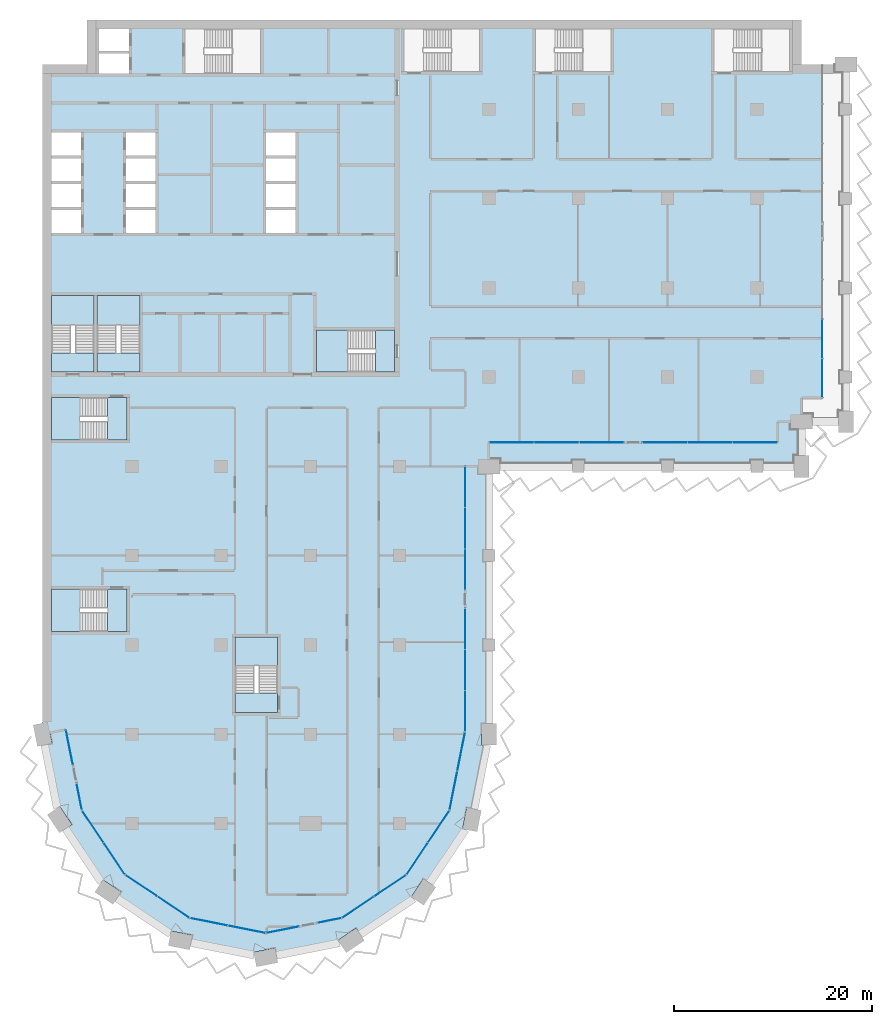
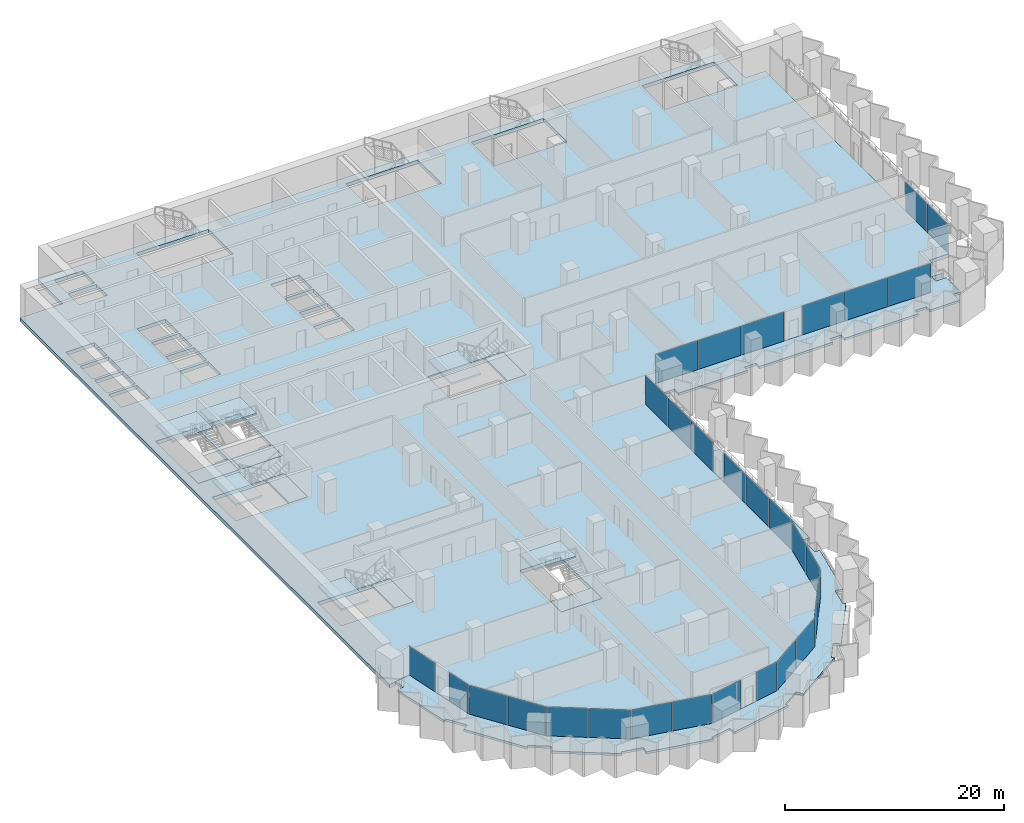
# One storey, part 7 of 22: 30 plates, 15 slabs, 21 elements without a shape of their own.
"""IFC4 building model written with IfcOpenShell, lengths in metres."""

from ifc_helpers import new_model, si_unit, direction, frame, origin, origin_2d, place, context, subcontext, project, spatial, polyline, rectangle, outline, extrude, material, layer, layer_set, type_object, element, aggregate, save


model = new_model("IFC4")

# Units and contexts
model_context = context("Model", 3, precision=1e-05, world=origin(), true_north=direction((0.0, 1.0)))
body_context = subcontext(model_context, "Body", "Model", "MODEL_VIEW")
ifc_project = project(units=[si_unit("LENGTHUNIT", "METRE"), si_unit("AREAUNIT", "SQUARE_METRE"), si_unit("VOLUMEUNIT", "CUBIC_METRE"), si_unit("PLANEANGLEUNIT", "RADIAN"), si_unit("MASSUNIT", "GRAM", prefix="KILO")], contexts=[model_context])

# Site, building, storey
site_placement = place(None, origin())
site = spatial("IfcSite", under=ifc_project, at=site_placement, CompositionType="ELEMENT")
building_placement = place(site_placement, origin())
building = spatial("IfcBuilding", under=site, at=building_placement, Name="Hunhe Ridgeline Campus", CompositionType="ELEMENT")
storey_placement = place(building_placement, frame((0.0, 0.0, 88.5)))
storey = spatial("IfcBuildingStorey", under=building, at=storey_placement, Name="L21", CompositionType="ELEMENT", Elevation=88.5)

# Curtain wall, plate
ifc_material_1 = material(Name="Aluminium 6063", Category="aluminium")
curtain_wall_type_1 = type_object("IfcCurtainWallType", Name="Curtain wall CW-5", PredefinedType="NOTDEFINED", material=ifc_material_1)
curtain_wall_1_placement = place(storey_placement, origin())
curtain_wall_1 = element("IfcCurtainWall", 1, at=curtain_wall_1_placement, inside=storey, type_object=curtain_wall_type_1, Name="Curtain wall 01", PredefinedType="NOTDEFINED")
ifc_material_2 = material(Name="Low-e laminated glass", Category="glass")
ifc_layer_1 = layer(ifc_material_2, 0.028076171875)
ifc_layer_set_1 = layer_set([ifc_layer_1], Name="Curtain wall glass panel 28 low-e laminated")
plate_type = type_object("IfcPlateType", Name="Curtain wall glass panel 28 low-e laminated", PredefinedType="CURTAIN_PANEL", material=ifc_layer_set_1)
plate_1_placement = place(storey_placement, frame((2.7158203125, 25.65380859375, 0.0), z_axis=(0.0, 0.0, 1.0), x_axis=(0.195095326561, -0.980784284924, 0.0)))
plate_1 = element("IfcPlate", 2, at=plate_1_placement, type_object=plate_type, Name="CW-5 panel 1", PredefinedType="CURTAIN_PANEL", context=body_context, shape_type="SweptSolid", body=[
    extrude(rectangle(XDim=3.560791015625, YDim=0.028076171875, at=origin_2d()), origin(), (0.0, 0.0, 1.0), 3.22998046875),
])
aggregate(curtain_wall_1, [plate_1])

curtain_wall_2_placement = place(storey_placement, origin())
curtain_wall_2 = element("IfcCurtainWall", 3, at=curtain_wall_2_placement, inside=storey, type_object=curtain_wall_type_1, Name="Curtain wall 02", PredefinedType="NOTDEFINED")
plate_2_placement = place(storey_placement, frame((3.701171875, 20.699951171875, 0.0), z_axis=(0.0, 0.0, 1.0), x_axis=(0.195095265587, -0.980784297053, 0.0)))
plate_2 = element("IfcPlate", 4, at=plate_2_placement, type_object=plate_type, Name="CW-5 panel 1", PredefinedType="CURTAIN_PANEL", context=body_context, shape_type="SweptSolid", body=[
    extrude(rectangle(XDim=2.660888671875, YDim=0.028076171875, at=origin_2d()), origin(), (0.0, 0.0, 1.0), 3.22998046875),
])
aggregate(curtain_wall_2, [plate_2])

# Curtain wall, plates
curtain_wall_3_placement = place(storey_placement, origin())
curtain_wall_3 = element("IfcCurtainWall", 5, at=curtain_wall_3_placement, inside=storey, type_object=curtain_wall_type_1, Name="Curtain wall 03", PredefinedType="NOTDEFINED")
plate_3_placement = place(storey_placement, frame((5.07080078125, 17.685546875, 0.0), z_axis=(0.0, 0.0, 1.0), x_axis=(0.555570274596, -0.831469584522, 0.0)))
plate_3 = element("IfcPlate", 6, at=plate_3_placement, type_object=plate_type, Name="CW-5 panel 1", PredefinedType="CURTAIN_PANEL", context=body_context, shape_type="SweptSolid", body=[
    extrude(rectangle(XDim=3.806884765625, YDim=0.028076171875, at=origin_2d()), origin(), (0.0, 0.0, 1.0), 3.22998046875),
])
plate_4_placement = place(storey_placement, frame((7.224609375, 14.4619140625, 0.0), z_axis=(0.0, 0.0, 1.0), x_axis=(0.555570274596, -0.831469584522, 0.0)))
plate_4 = element("IfcPlate", 7, at=plate_4_placement, type_object=plate_type, Name="CW-5 panel 2", PredefinedType="CURTAIN_PANEL", context=body_context, shape_type="SweptSolid", body=[
    extrude(rectangle(XDim=3.806884765625, YDim=0.028076171875, at=origin_2d()), origin(), (0.0, 0.0, 1.0), 3.22998046875),
])
aggregate(curtain_wall_3, [plate_3, plate_4])

curtain_wall_4_placement = place(storey_placement, origin())
curtain_wall_4 = element("IfcCurtainWall", 8, at=curtain_wall_4_placement, inside=storey, type_object=curtain_wall_type_1, Name="Curtain wall 04", PredefinedType="NOTDEFINED")
plate_5_placement = place(storey_placement, frame((9.9619140625, 11.724609375, 0.0), z_axis=(0.0, 0.0, 1.0), x_axis=(0.831469584522, -0.555570274596, 0.0)))
plate_5 = element("IfcPlate", 9, at=plate_5_placement, type_object=plate_type, Name="CW-5 panel 1", PredefinedType="CURTAIN_PANEL", context=body_context, shape_type="SweptSolid", body=[
    extrude(rectangle(XDim=3.806884765625, YDim=0.028076171875, at=origin_2d()), origin(), (0.0, 0.0, 1.0), 3.22998046875),
])
plate_6_placement = place(storey_placement, frame((13.185546875, 9.57080078125, 0.0), z_axis=(0.0, 0.0, 1.0), x_axis=(0.831469584522, -0.555570274596, 0.0)))
plate_6 = element("IfcPlate", 10, at=plate_6_placement, type_object=plate_type, Name="CW-5 panel 2", PredefinedType="CURTAIN_PANEL", context=body_context, shape_type="SweptSolid", body=[
    extrude(rectangle(XDim=3.806884765625, YDim=0.028076171875, at=origin_2d()), origin(), (0.0, 0.0, 1.0), 3.22998046875),
])
aggregate(curtain_wall_4, [plate_5, plate_6])

curtain_wall_5_placement = place(storey_placement, origin())
curtain_wall_5 = element("IfcCurtainWall", 11, at=curtain_wall_5_placement, inside=storey, type_object=curtain_wall_type_1, Name="Curtain wall 05", PredefinedType="NOTDEFINED")
plate_7_placement = place(storey_placement, frame((16.761962890625, 8.08935546875, 0.0), z_axis=(0.0, 0.0, 1.0), x_axis=(0.980785275326, -0.195090347539, 0.0)))
plate_7 = element("IfcPlate", 12, at=plate_7_placement, type_object=plate_type, Name="CW-5 panel 1", PredefinedType="CURTAIN_PANEL", context=body_context, shape_type="SweptSolid", body=[
    extrude(rectangle(XDim=3.806884765625, YDim=0.028076171875, at=origin_2d()), origin(), (0.0, 0.0, 1.0), 3.22998046875),
])
plate_8_placement = place(storey_placement, frame((20.564453125, 7.3330078125, 0.0), z_axis=(0.0, 0.0, 1.0), x_axis=(0.980785275326, -0.195090347539, 0.0)))
plate_8 = element("IfcPlate", 13, at=plate_8_placement, type_object=plate_type, Name="CW-5 panel 2", PredefinedType="CURTAIN_PANEL", context=body_context, shape_type="SweptSolid", body=[
    extrude(rectangle(XDim=3.806884765625, YDim=0.028076171875, at=origin_2d()), origin(), (0.0, 0.0, 1.0), 3.22998046875),
])
aggregate(curtain_wall_5, [plate_7, plate_8])

# Curtain wall, plate
curtain_wall_6_placement = place(storey_placement, origin())
curtain_wall_6 = element("IfcCurtainWall", 14, at=curtain_wall_6_placement, inside=storey, type_object=curtain_wall_type_1, Name="Curtain wall 06", PredefinedType="NOTDEFINED")
plate_9_placement = place(storey_placement, frame((24.19775390625, 7.28564453125, 0.0), z_axis=(0.0, 0.0, 1.0), x_axis=(0.980785270791, 0.19509037034, 0.0)))
plate_9 = element("IfcPlate", 15, at=plate_9_placement, type_object=plate_type, Name="CW-5 panel 1", PredefinedType="CURTAIN_PANEL", context=body_context, shape_type="SweptSolid", body=[
    extrude(rectangle(XDim=3.322021484375, YDim=0.028076171875, at=origin_2d()), origin(), (0.0, 0.0, 1.0), 3.22998046875),
])
aggregate(curtain_wall_6, [plate_9])

curtain_wall_7_placement = place(storey_placement, origin())
curtain_wall_7 = element("IfcCurtainWall", 16, at=curtain_wall_7_placement, inside=storey, type_object=curtain_wall_type_1, Name="Curtain wall 07", PredefinedType="NOTDEFINED")
plate_10_placement = place(storey_placement, frame((28.917236328125, 8.224609375, 0.0), z_axis=(0.0, 0.0, 1.0), x_axis=(0.980785242091, 0.195090514627, 0.0)))
plate_10 = element("IfcPlate", 17, at=plate_10_placement, type_object=plate_type, Name="CW-5 panel 1", PredefinedType="CURTAIN_PANEL", context=body_context, shape_type="SweptSolid", body=[
    extrude(rectangle(XDim=2.421875, YDim=0.028076171875, at=origin_2d()), origin(), (0.0, 0.0, 1.0), 3.22998046875),
])
aggregate(curtain_wall_7, [plate_10])

# Curtain wall, plates
curtain_wall_8_placement = place(storey_placement, origin())
curtain_wall_8 = element("IfcCurtainWall", 18, at=curtain_wall_8_placement, inside=storey, type_object=curtain_wall_type_1, Name="Curtain wall 08", PredefinedType="NOTDEFINED")
plate_11_placement = place(storey_placement, frame((31.814453125, 9.57080078125, 0.0), z_axis=(0.0, 0.0, 1.0), x_axis=(0.831469584522, 0.555570274596, 0.0)))
plate_11 = element("IfcPlate", 19, at=plate_11_placement, type_object=plate_type, Name="CW-5 panel 1", PredefinedType="CURTAIN_PANEL", context=body_context, shape_type="SweptSolid", body=[
    extrude(rectangle(XDim=3.806884765625, YDim=0.028076171875, at=origin_2d()), origin(), (0.0, 0.0, 1.0), 3.22998046875),
])
plate_12_placement = place(storey_placement, frame((35.0380859375, 11.724609375, 0.0), z_axis=(0.0, 0.0, 1.0), x_axis=(0.831469584522, 0.555570274596, 0.0)))
plate_12 = element("IfcPlate", 20, at=plate_12_placement, type_object=plate_type, Name="CW-5 panel 2", PredefinedType="CURTAIN_PANEL", context=body_context, shape_type="SweptSolid", body=[
    extrude(rectangle(XDim=3.806884765625, YDim=0.028076171875, at=origin_2d()), origin(), (0.0, 0.0, 1.0), 3.22998046875),
])
aggregate(curtain_wall_8, [plate_11, plate_12])

curtain_wall_9_placement = place(storey_placement, origin())
curtain_wall_9 = element("IfcCurtainWall", 21, at=curtain_wall_9_placement, inside=storey, type_object=curtain_wall_type_1, Name="Curtain wall 09", PredefinedType="NOTDEFINED")
plate_13_placement = place(storey_placement, frame((37.775390625, 14.4619140625, 0.0), z_axis=(0.0, 0.0, 1.0), x_axis=(0.555570274596, 0.831469584522, 0.0)))
plate_13 = element("IfcPlate", 22, at=plate_13_placement, type_object=plate_type, Name="CW-5 panel 1", PredefinedType="CURTAIN_PANEL", context=body_context, shape_type="SweptSolid", body=[
    extrude(rectangle(XDim=3.806884765625, YDim=0.028076171875, at=origin_2d()), origin(), (0.0, 0.0, 1.0), 3.22998046875),
])
plate_14_placement = place(storey_placement, frame((39.92919921875, 17.685546875, 0.0), z_axis=(0.0, 0.0, 1.0), x_axis=(0.555570274596, 0.831469584522, 0.0)))
plate_14 = element("IfcPlate", 23, at=plate_14_placement, type_object=plate_type, Name="CW-5 panel 2", PredefinedType="CURTAIN_PANEL", context=body_context, shape_type="SweptSolid", body=[
    extrude(rectangle(XDim=3.806884765625, YDim=0.028076171875, at=origin_2d()), origin(), (0.0, 0.0, 1.0), 3.22998046875),
])
aggregate(curtain_wall_9, [plate_13, plate_14])

curtain_wall_10_placement = place(storey_placement, origin())
curtain_wall_10 = element("IfcCurtainWall", 24, at=curtain_wall_10_placement, inside=storey, type_object=curtain_wall_type_1, Name="Curtain wall 10", PredefinedType="NOTDEFINED")
plate_15_placement = place(storey_placement, frame((41.42236328125, 21.321044921875, 0.0), z_axis=(0.0, 0.0, 1.0), x_axis=(0.195090299215, 0.980785284939, 0.0)))
plate_15 = element("IfcPlate", 25, at=plate_15_placement, type_object=plate_type, Name="CW-5 panel 1", PredefinedType="CURTAIN_PANEL", context=body_context, shape_type="SweptSolid", body=[
    extrude(rectangle(XDim=3.927490234375, YDim=0.028076171875, at=origin_2d()), origin(), (0.0, 0.0, 1.0), 3.22998046875),
])
plate_16_placement = place(storey_placement, frame((42.2021484375, 25.24169921875, 0.0), z_axis=(0.0, 0.0, 1.0), x_axis=(0.195090299215, 0.980785284939, 0.0)))
plate_16 = element("IfcPlate", 26, at=plate_16_placement, type_object=plate_type, Name="CW-5 panel 2", PredefinedType="CURTAIN_PANEL", context=body_context, shape_type="SweptSolid", body=[
    extrude(rectangle(XDim=3.927490234375, YDim=0.028076171875, at=origin_2d()), origin(), (0.0, 0.0, 1.0), 3.22998046875),
])
aggregate(curtain_wall_10, [plate_15, plate_16])

curtain_wall_type_2 = type_object("IfcCurtainWallType", Name="Curtain wall CW-1", PredefinedType="NOTDEFINED", material=ifc_material_1)
curtain_wall_11_placement = place(storey_placement, origin())
curtain_wall_11 = element("IfcCurtainWall", 27, at=curtain_wall_11_placement, inside=storey, type_object=curtain_wall_type_2, Name="Curtain wall 11", PredefinedType="NOTDEFINED")
plate_17_placement = place(storey_placement, frame((42.59912109375, 29.331787109375, 0.0), z_axis=(0.0, 0.0, 1.0), x_axis=(1.0975712e-05, 0.99999999994, 0.0)))
plate_17 = element("IfcPlate", 28, at=plate_17_placement, type_object=plate_type, Name="CW-1 panel 1", PredefinedType="CURTAIN_PANEL", context=body_context, shape_type="SweptSolid", body=[
    extrude(rectangle(XDim=4.07080078125, YDim=0.028076171875, at=origin_2d()), origin(), (0.0, 0.0, 1.0), 3.239990234375),
])
plate_18_placement = place(storey_placement, frame((42.59912109375, 33.4775390625, 0.0), z_axis=(0.0, 0.0, 1.0), x_axis=(1.0975712e-05, 0.99999999994, 0.0)))
plate_18 = element("IfcPlate", 29, at=plate_18_placement, type_object=plate_type, Name="CW-1 panel 2", PredefinedType="CURTAIN_PANEL", context=body_context, shape_type="SweptSolid", body=[
    extrude(rectangle(XDim=4.1005859375, YDim=0.028076171875, at=origin_2d()), origin(), (0.0, 0.0, 1.0), 3.239990234375),
])
plate_19_placement = place(storey_placement, frame((42.59912109375, 37.623291015625, 0.0), z_axis=(0.0, 0.0, 1.0), x_axis=(1.0975712e-05, 0.99999999994, 0.0)))
plate_19 = element("IfcPlate", 30, at=plate_19_placement, type_object=plate_type, Name="CW-1 panel 3", PredefinedType="CURTAIN_PANEL", context=body_context, shape_type="SweptSolid", body=[
    extrude(rectangle(XDim=4.07080078125, YDim=0.028076171875, at=origin_2d()), origin(), (0.0, 0.0, 1.0), 3.239990234375),
])
aggregate(curtain_wall_11, [plate_17, plate_18, plate_19])

curtain_wall_12_placement = place(storey_placement, origin())
curtain_wall_12 = element("IfcCurtainWall", 31, at=curtain_wall_12_placement, inside=storey, type_object=curtain_wall_type_2, Name="Curtain wall 12", PredefinedType="NOTDEFINED")
plate_20_placement = place(storey_placement, frame((42.59912109375, 43.614013671875, 0.0), z_axis=(0.0, 0.0, 1.0), x_axis=(1.0975712e-05, 0.99999999994, 0.0)))
plate_20 = element("IfcPlate", 32, at=plate_20_placement, type_object=plate_type, Name="CW-1 panel 1", PredefinedType="CURTAIN_PANEL", context=body_context, shape_type="SweptSolid", body=[
    extrude(rectangle(XDim=4.07080078125, YDim=0.028076171875, at=origin_2d()), origin(), (0.0, 0.0, 1.0), 3.239990234375),
])
plate_21_placement = place(storey_placement, frame((42.59912109375, 47.759765625, 0.0), z_axis=(0.0, 0.0, 1.0), x_axis=(1.0975712e-05, 0.99999999994, 0.0)))
plate_21 = element("IfcPlate", 33, at=plate_21_placement, type_object=plate_type, Name="CW-1 panel 2", PredefinedType="CURTAIN_PANEL", context=body_context, shape_type="SweptSolid", body=[
    extrude(rectangle(XDim=4.1005859375, YDim=0.028076171875, at=origin_2d()), origin(), (0.0, 0.0, 1.0), 3.239990234375),
])
plate_22_placement = place(storey_placement, frame((42.599365234375, 51.9052734375, 0.0), z_axis=(0.0, 0.0, 1.0), x_axis=(1.0975712e-05, 0.99999999994, 0.0)))
plate_22 = element("IfcPlate", 34, at=plate_22_placement, type_object=plate_type, Name="CW-1 panel 3", PredefinedType="CURTAIN_PANEL", context=body_context, shape_type="SweptSolid", body=[
    extrude(rectangle(XDim=4.07080078125, YDim=0.028076171875, at=origin_2d()), origin(), (0.0, 0.0, 1.0), 3.239990234375),
])
aggregate(curtain_wall_12, [plate_20, plate_21, plate_22])

curtain_wall_13_placement = place(storey_placement, origin())
curtain_wall_13 = element("IfcCurtainWall", 35, at=curtain_wall_13_placement, inside=storey, type_object=curtain_wall_type_2, Name="Curtain wall 13", PredefinedType="NOTDEFINED")
plate_23_placement = place(storey_placement, frame((47.289794921875, 56.40087890625, 0.0), z_axis=(0.0, 0.0, 1.0), x_axis=(1.0, 1.4652e-07, 0.0)))
plate_23 = element("IfcPlate", 36, at=plate_23_placement, type_object=plate_type, Name="CW-1 panel 1", PredefinedType="CURTAIN_PANEL", context=body_context, shape_type="SweptSolid", body=[
    extrude(rectangle(XDim=4.4599609375, YDim=0.028076171875, at=origin_2d()), origin(), (0.0, 0.0, 1.0), 3.239990234375),
])
plate_24_placement = place(storey_placement, frame((51.82470703125, 56.40087890625, 0.0), z_axis=(0.0, 0.0, 1.0), x_axis=(1.0, 1.4652e-07, 0.0)))
plate_24 = element("IfcPlate", 37, at=plate_24_placement, type_object=plate_type, Name="CW-1 panel 2", PredefinedType="CURTAIN_PANEL", context=body_context, shape_type="SweptSolid", body=[
    extrude(rectangle(XDim=4.48974609375, YDim=0.028076171875, at=origin_2d()), origin(), (0.0, 0.0, 1.0), 3.239990234375),
])
plate_25_placement = place(storey_placement, frame((56.359619140625, 56.40087890625, 0.0), z_axis=(0.0, 0.0, 1.0), x_axis=(1.0, 1.4652e-07, 0.0)))
plate_25 = element("IfcPlate", 38, at=plate_25_placement, type_object=plate_type, Name="CW-1 panel 3", PredefinedType="CURTAIN_PANEL", context=body_context, shape_type="SweptSolid", body=[
    extrude(rectangle(XDim=4.4599609375, YDim=0.028076171875, at=origin_2d()), origin(), (0.0, 0.0, 1.0), 3.239990234375),
])
aggregate(curtain_wall_13, [plate_23, plate_24, plate_25])

curtain_wall_14_placement = place(storey_placement, origin())
curtain_wall_14 = element("IfcCurtainWall", 39, at=curtain_wall_14_placement, inside=storey, type_object=curtain_wall_type_2, Name="Curtain wall 14", PredefinedType="NOTDEFINED")
plate_26_placement = place(storey_placement, frame((62.7392578125, 56.40087890625, 0.0), z_axis=(0.0, 0.0, 1.0), x_axis=(1.0, 1.4652e-07, 0.0)))
plate_26 = element("IfcPlate", 40, at=plate_26_placement, type_object=plate_type, Name="CW-1 panel 1", PredefinedType="CURTAIN_PANEL", context=body_context, shape_type="SweptSolid", body=[
    extrude(rectangle(XDim=4.4599609375, YDim=0.028076171875, at=origin_2d()), origin(), (0.0, 0.0, 1.0), 3.239990234375),
])
plate_27_placement = place(storey_placement, frame((67.274169921875, 56.40087890625, 0.0), z_axis=(0.0, 0.0, 1.0), x_axis=(1.0, 1.4652e-07, 0.0)))
plate_27 = element("IfcPlate", 41, at=plate_27_placement, type_object=plate_type, Name="CW-1 panel 2", PredefinedType="CURTAIN_PANEL", context=body_context, shape_type="SweptSolid", body=[
    extrude(rectangle(XDim=4.48974609375, YDim=0.028076171875, at=origin_2d()), origin(), (0.0, 0.0, 1.0), 3.239990234375),
])
plate_28_placement = place(storey_placement, frame((71.80908203125, 56.40087890625, 0.0), z_axis=(0.0, 0.0, 1.0), x_axis=(1.0, 1.4652e-07, 0.0)))
plate_28 = element("IfcPlate", 42, at=plate_28_placement, type_object=plate_type, Name="CW-1 panel 3", PredefinedType="CURTAIN_PANEL", context=body_context, shape_type="SweptSolid", body=[
    extrude(rectangle(XDim=4.4599609375, YDim=0.028076171875, at=origin_2d()), origin(), (0.0, 0.0, 1.0), 3.239990234375),
])
aggregate(curtain_wall_14, [plate_26, plate_27, plate_28])

curtain_wall_15_placement = place(storey_placement, origin())
curtain_wall_15 = element("IfcCurtainWall", 43, at=curtain_wall_15_placement, inside=storey, type_object=curtain_wall_type_2, Name="Curtain wall 15", PredefinedType="NOTDEFINED")
plate_29_placement = place(storey_placement, frame((78.59912109375, 62.9033203125, 0.0), z_axis=(0.0, 0.0, 1.0), x_axis=(0.0, 1.0, 0.0)))
plate_29 = element("IfcPlate", 44, at=plate_29_placement, type_object=plate_type, Name="CW-1 panel 1", PredefinedType="CURTAIN_PANEL", context=body_context, shape_type="SweptSolid", body=[
    extrude(rectangle(XDim=3.884765625, YDim=0.028076171875, at=origin_2d()), origin(), (0.0, 0.0, 1.0), 3.239990234375),
])
plate_30_placement = place(storey_placement, frame((78.59912109375, 66.86328125, 0.0), z_axis=(0.0, 0.0, 1.0), x_axis=(0.0, 1.0, 0.0)))
plate_30 = element("IfcPlate", 45, at=plate_30_placement, type_object=plate_type, Name="CW-1 panel 2", PredefinedType="CURTAIN_PANEL", context=body_context, shape_type="SweptSolid", body=[
    extrude(rectangle(XDim=3.914794921875, YDim=0.028076171875, at=origin_2d()), origin(), (0.0, 0.0, 1.0), 3.239990234375),
])
aggregate(curtain_wall_15, [plate_29, plate_30])

# Slabs
ifc_material_3 = material(Name="Concrete C40", Category="concrete")
ifc_layer_2 = layer(ifc_material_3, 0.39990234375)
ifc_layer_set_2 = layer_set([ifc_layer_2], Name="Floor slab 400 Concrete C40")
slab_type_1 = type_object("IfcSlabType", Name="Floor slab 400 Concrete C40", PredefinedType="FLOOR", material=ifc_layer_set_2)
slab_1_placement = place(storey_placement, frame((0.0, 0.0, -0.39990234375)))
element("IfcSlab", 46, at=slab_1_placement, inside=storey, type_object=slab_type_1, Name="Floor slab L21 1", PredefinedType="FLOOR", context=body_context, shape_type="SweptSolid", body=[
    extrude(outline(polyline([(0.0, 27.0009765625), (2.354736328125, 27.46875), (3.974365234375, 19.326416015625), (8.321044921875, 12.821044921875), (14.826416015625, 8.474365234375), (22.5, 6.947998046875), (30.173583984375, 8.474365234375), (36.678955078125, 12.821044921875), (41.025634765625, 19.326416015625), (42.59912109375, 27.236572265625), (42.599365234375, 54.000732421875), (44.9990234375, 54.0009765625), (45.0, 56.40087890625), (74.09912109375, 56.40087890625), (74.099365234375, 58.500732421875), (76.4990234375, 58.5009765625), (76.499267578125, 60.900634765625), (78.59912109375, 60.90087890625), (78.59912109375, 94.5), (76.5, 94.5), (76.5, 99.0), (4.5, 99.0), (4.5, 94.5), (0.0, 94.5), (0.0, 27.0009765625)]), holes=[polyline([(67.699951171875, 93.800048828125), (75.300048828125, 93.800048828125), (75.300048828125, 98.10009765625), (67.699951171875, 98.10009765625), (67.699951171875, 93.800048828125)]), polyline([(57.300048828125, 93.800048828125), (57.300048828125, 98.10009765625), (49.699951171875, 98.10009765625), (49.699951171875, 93.800048828125), (57.300048828125, 93.800048828125)]), polyline([(44.050048828125, 98.10009765625), (36.449951171875, 98.10009765625), (36.449951171875, 93.800048828125), (44.050048828125, 93.800048828125), (44.050048828125, 98.10009765625)]), polyline([(27.60009765625, 67.75), (27.60009765625, 63.5), (35.5, 63.5), (35.5, 67.75), (27.60009765625, 67.75)]), polyline([(25.5, 85.35009765625), (25.5, 87.64990234375), (22.5, 87.64990234375), (22.5, 85.35009765625), (25.5, 85.35009765625)]), polyline([(25.5, 85.050048828125), (22.5, 85.050048828125), (22.5, 82.75), (25.5, 82.75), (25.5, 85.050048828125)]), polyline([(22.5, 82.449951171875), (22.5, 80.14990234375), (25.5, 80.14990234375), (25.5, 82.449951171875), (22.5, 82.449951171875)]), polyline([(22.5, 77.550048828125), (25.5, 77.550048828125), (25.5, 79.85009765625), (22.5, 79.85009765625), (22.5, 77.550048828125)]), polyline([(19.39990234375, 29.199951171875), (23.699951171875, 29.199951171875), (23.699951171875, 36.800048828125), (19.39990234375, 36.800048828125), (19.39990234375, 29.199951171875)]), polyline([(21.949951171875, 98.10009765625), (14.35009765625, 98.10009765625), (14.35009765625, 93.60009765625), (21.949951171875, 93.60009765625), (21.949951171875, 98.10009765625)]), polyline([(8.39990234375, 82.449951171875), (8.39990234375, 80.14990234375), (11.39990234375, 80.14990234375), (11.39990234375, 82.449951171875), (8.39990234375, 82.449951171875)]), polyline([(11.39990234375, 85.35009765625), (11.39990234375, 87.64990234375), (8.39990234375, 87.64990234375), (8.39990234375, 85.35009765625), (11.39990234375, 85.35009765625)]), polyline([(11.39990234375, 85.050048828125), (8.39990234375, 85.050048828125), (8.39990234375, 82.75), (11.39990234375, 82.75), (11.39990234375, 85.050048828125)]), polyline([(8.39990234375, 77.550048828125), (11.39990234375, 77.550048828125), (11.39990234375, 79.85009765625), (8.39990234375, 79.85009765625), (8.39990234375, 77.550048828125)]), polyline([(5.5, 63.5), (9.800048828125, 63.5), (9.800048828125, 71.25), (5.5, 71.25), (5.5, 63.5)]), polyline([(5.699951171875, 98.10009765625), (5.699951171875, 95.89990234375), (8.699951171875, 95.89990234375), (8.699951171875, 98.10009765625), (5.699951171875, 98.10009765625)]), polyline([(5.699951171875, 93.60009765625), (8.699951171875, 93.60009765625), (8.699951171875, 95.60009765625), (5.699951171875, 95.60009765625), (5.699951171875, 93.60009765625)]), polyline([(0.89990234375, 60.949951171875), (0.89990234375, 56.64990234375), (8.5, 56.64990234375), (8.5, 60.949951171875), (0.89990234375, 60.949951171875)]), polyline([(0.89990234375, 37.35009765625), (8.5, 37.35009765625), (8.5, 41.64990234375), (0.89990234375, 41.64990234375), (0.89990234375, 37.35009765625)]), polyline([(5.199951171875, 63.5), (5.199951171875, 71.25), (0.89990234375, 71.25), (0.89990234375, 63.5), (5.199951171875, 63.5)]), polyline([(3.89990234375, 85.35009765625), (3.89990234375, 87.64990234375), (0.89990234375, 87.64990234375), (0.89990234375, 85.35009765625), (3.89990234375, 85.35009765625)]), polyline([(3.89990234375, 85.050048828125), (0.89990234375, 85.050048828125), (0.89990234375, 82.75), (3.89990234375, 82.75), (3.89990234375, 85.050048828125)]), polyline([(0.89990234375, 82.449951171875), (0.89990234375, 80.14990234375), (3.89990234375, 80.14990234375), (3.89990234375, 82.449951171875), (0.89990234375, 82.449951171875)]), polyline([(0.89990234375, 77.550048828125), (3.89990234375, 77.550048828125), (3.89990234375, 79.85009765625), (0.89990234375, 79.85009765625), (0.89990234375, 77.550048828125)])]), origin(), (0.0, 0.0, 1.0), 0.39990234375),
])
ifc_layer_3 = layer(ifc_material_3, 0.25)
ifc_layer_set_3 = layer_set([ifc_layer_3], Name="Loggia slab 250 Concrete C40")
slab_type_2 = type_object("IfcSlabType", Name="Loggia slab 250 Concrete C40", PredefinedType="FLOOR", material=ifc_layer_set_3)
slab_2_placement = place(storey_placement, frame((0.0, 0.0, -0.25)))
element("IfcSlab", 47, at=slab_2_placement, inside=storey, type_object=slab_type_2, Name="Loggia slab 1", PredefinedType="FLOOR", context=body_context, shape_type="SweptSolid", body=[
    extrude(outline(polyline([(30.173828125, 8.473388671875), (22.5, 6.947021484375), (14.826171875, 8.473388671875), (8.3203125, 12.8203125), (3.973388671875, 19.326171875), (2.35400390625, 27.46826171875), (0.735595703125, 27.146240234375), (0.9501953125, 26.0673828125), (0.214599609375, 25.921142578125), (1.48046875, 19.557373046875), (1.72509765625, 19.720947265625), (2.947509765625, 17.8916015625), (2.32373046875, 17.47509765625), (5.9287109375, 12.080078125), (6.092041015625, 12.32470703125), (7.92138671875, 11.1025390625), (7.504638671875, 10.47900390625), (12.899658203125, 6.874267578125), (12.95703125, 7.162841796875), (15.11474609375, 6.733642578125), (14.968505859375, 5.998046875), (21.332275390625, 4.732177734375), (21.27490234375, 5.02099609375), (23.4326171875, 5.4501953125), (23.578857421875, 4.714599609375), (29.942626953125, 5.98046875), (29.779052734375, 6.22509765625), (31.6083984375, 7.447509765625), (32.02490234375, 6.82373046875), (37.419921875, 10.4287109375), (37.17529296875, 10.592041015625), (38.3974609375, 12.42138671875), (39.02099609375, 12.004638671875), (42.625732421875, 17.399658203125), (42.337158203125, 17.45703125), (42.766357421875, 19.61474609375), (43.501953125, 19.468505859375), (44.78125, 25.89990234375), (44.25, 25.89990234375), (44.25, 28.10009765625), (45.0, 28.10009765625), (45.0, 35.39990234375), (44.39990234375, 35.39990234375), (44.39990234375, 36.60009765625), (45.0, 36.60009765625), (45.0, 44.39990234375), (44.39990234375, 44.39990234375), (44.39990234375, 45.60009765625), (45.0, 45.60009765625), (45.0, 53.25), (43.89990234375, 53.25), (43.89990234375, 54.0), (42.60009765625, 54.0), (42.60009765625, 27.236328125), (41.026611328125, 19.326171875), (36.6796875, 12.8203125), (30.173828125, 8.473388671875)])), origin(), (0.0, 0.0, 1.0), 0.25),
])
slab_3_placement = place(storey_placement, frame((0.0, 0.0, -0.25)))
element("IfcSlab", 48, at=slab_3_placement, inside=storey, type_object=slab_type_2, Name="Loggia slab 2", PredefinedType="FLOOR", context=body_context, shape_type="SweptSolid", body=[
    extrude(outline(polyline([(45.0, 54.75), (46.10009765625, 54.75), (46.10009765625, 54.0), (53.39990234375, 54.0), (53.39990234375, 54.60009765625), (54.60009765625, 54.60009765625), (54.60009765625, 54.0), (62.39990234375, 54.0), (62.39990234375, 54.60009765625), (63.60009765625, 54.60009765625), (63.60009765625, 54.0), (71.39990234375, 54.0), (71.39990234375, 54.60009765625), (72.60009765625, 54.60009765625), (72.60009765625, 54.0), (75.75, 54.0), (75.75, 55.10009765625), (76.5, 55.10009765625), (76.5, 57.75), (75.39990234375, 57.75), (75.39990234375, 58.5), (74.10009765625, 58.5), (74.10009765625, 56.39990234375), (45.0, 56.39990234375), (45.0, 54.75)])), origin(), (0.0, 0.0, 1.0), 0.25),
])

# Stair, slab
stair_type = type_object("IfcStairType", Name="Reinforced concrete dog-leg stair 1950 Concrete C40", PredefinedType="HALF_TURN_STAIR", material=ifc_material_3)
stair_1_placement = place(storey_placement, origin())
stair_1 = element("IfcStair", 49, at=stair_1_placement, inside=storey, type_object=stair_type, Name="L21 S2", PredefinedType="HALF_TURN_STAIR")
ifc_layer_4 = layer(ifc_material_3, 0.199951171875)
ifc_layer_set_4 = layer_set([ifc_layer_4], Name="Reinforced concrete stair landing 200 Concrete C40")
slab_type_3 = type_object("IfcSlabType", Name="Reinforced concrete stair landing 200 Concrete C40", PredefinedType="LANDING", material=ifc_layer_set_4)
slab_4_placement = place(storey_placement, frame((0.0, 0.0, 1.64990234375)))
slab_4 = element("IfcSlab", 50, at=slab_4_placement, type_object=slab_type_3, Name="ST2 landing 1", PredefinedType="LANDING", context=body_context, shape_type="SweptSolid", body=[
    extrude(outline(polyline([(30.75, 67.75), (27.60009765625, 67.75), (27.60009765625, 63.5), (30.75, 63.5), (30.75, 67.75)])), origin(), (0.0, 0.0, 1.0), 0.2001953125),
])
aggregate(stair_1, [slab_4])

# Slab
slab_5_placement = place(storey_placement, frame((0.0, 0.0, -0.199951171875)))
element("IfcSlab", 51, at=slab_5_placement, inside=storey, type_object=slab_type_3, Name="L21 stair S2 floor landing", PredefinedType="LANDING", context=body_context, shape_type="SweptSolid", body=[
    extrude(outline(polyline([(35.5, 67.75), (33.550048828125, 67.75), (33.550048828125, 63.5), (35.5, 63.5), (35.5, 67.75)])), origin(), (0.0, 0.0, 1.0), 0.199951171875),
])

# Stair, slab
stair_2_placement = place(storey_placement, origin())
stair_2 = element("IfcStair", 52, at=stair_2_placement, inside=storey, type_object=stair_type, Name="L21 S3", PredefinedType="HALF_TURN_STAIR")
slab_6_placement = place(storey_placement, frame((0.0, 0.0, 1.64990234375)))
slab_6 = element("IfcSlab", 53, at=slab_6_placement, type_object=slab_type_3, Name="ST3 landing 1", PredefinedType="LANDING", context=body_context, shape_type="SweptSolid", body=[
    extrude(outline(polyline([(5.199951171875, 68.25), (5.199951171875, 71.25), (0.89990234375, 71.25), (0.89990234375, 68.25), (5.199951171875, 68.25)])), origin(), (0.0, 0.0, 1.0), 0.2001953125),
])
aggregate(stair_2, [slab_6])

# Slab
slab_7_placement = place(storey_placement, frame((0.0, 0.0, -0.199951171875)))
element("IfcSlab", 54, at=slab_7_placement, inside=storey, type_object=slab_type_3, Name="L21 stair S3 floor landing", PredefinedType="LANDING", context=body_context, shape_type="SweptSolid", body=[
    extrude(outline(polyline([(5.199951171875, 63.5), (5.199951171875, 65.449951171875), (0.89990234375, 65.449951171875), (0.89990234375, 63.5), (5.199951171875, 63.5)])), origin(), (0.0, 0.0, 1.0), 0.199951171875),
])

# Stair, slab
stair_3_placement = place(storey_placement, origin())
stair_3 = element("IfcStair", 55, at=stair_3_placement, inside=storey, type_object=stair_type, Name="L21 S4", PredefinedType="HALF_TURN_STAIR")
slab_8_placement = place(storey_placement, frame((0.0, 0.0, 1.64990234375)))
slab_8 = element("IfcSlab", 56, at=slab_8_placement, type_object=slab_type_3, Name="ST4 landing 1", PredefinedType="LANDING", context=body_context, shape_type="SweptSolid", body=[
    extrude(outline(polyline([(9.800048828125, 68.25), (9.800048828125, 71.25), (5.5, 71.25), (5.5, 68.25), (9.800048828125, 68.25)])), origin(), (0.0, 0.0, 1.0), 0.2001953125),
])
aggregate(stair_3, [slab_8])

# Slab
slab_9_placement = place(storey_placement, frame((0.0, 0.0, -0.199951171875)))
element("IfcSlab", 57, at=slab_9_placement, inside=storey, type_object=slab_type_3, Name="L21 stair S4 floor landing", PredefinedType="LANDING", context=body_context, shape_type="SweptSolid", body=[
    extrude(outline(polyline([(9.800048828125, 63.5), (9.800048828125, 65.449951171875), (5.5, 65.449951171875), (5.5, 63.5), (9.800048828125, 63.5)])), origin(), (0.0, 0.0, 1.0), 0.199951171875),
])

# Stair, slab
stair_4_placement = place(storey_placement, origin())
stair_4 = element("IfcStair", 58, at=stair_4_placement, inside=storey, type_object=stair_type, Name="L21 W3", PredefinedType="HALF_TURN_STAIR")
slab_10_placement = place(storey_placement, frame((0.0, 0.0, 1.64990234375)))
slab_10 = element("IfcSlab", 59, at=slab_10_placement, type_object=slab_type_3, Name="ST9 landing 1", PredefinedType="LANDING", context=body_context, shape_type="SweptSolid", body=[
    extrude(outline(polyline([(23.699951171875, 33.949951171875), (23.699951171875, 36.800048828125), (19.39990234375, 36.800048828125), (19.39990234375, 33.949951171875), (23.699951171875, 33.949951171875)])), origin(), (0.0, 0.0, 1.0), 0.2001953125),
])
aggregate(stair_4, [slab_10])

# Slab
slab_11_placement = place(storey_placement, frame((0.0, 0.0, -0.199951171875)))
element("IfcSlab", 60, at=slab_11_placement, inside=storey, type_object=slab_type_3, Name="L21 stair W3 floor landing", PredefinedType="LANDING", context=body_context, shape_type="SweptSolid", body=[
    extrude(outline(polyline([(23.699951171875, 29.199951171875), (23.699951171875, 31.14990234375), (19.39990234375, 31.14990234375), (19.39990234375, 29.199951171875), (23.699951171875, 29.199951171875)])), origin(), (0.0, 0.0, 1.0), 0.199951171875),
])

# Stair, slab
stair_5_placement = place(storey_placement, origin())
stair_5 = element("IfcStair", 61, at=stair_5_placement, inside=storey, type_object=stair_type, Name="L21 W1", PredefinedType="HALF_TURN_STAIR")
slab_12_placement = place(storey_placement, frame((0.0, 0.0, 1.64990234375)))
slab_12 = element("IfcSlab", 62, at=slab_12_placement, type_object=slab_type_3, Name="ST11 landing 1", PredefinedType="LANDING", context=body_context, shape_type="SweptSolid", body=[
    extrude(outline(polyline([(3.75, 41.64990234375), (0.89990234375, 41.64990234375), (0.89990234375, 37.35009765625), (3.75, 37.35009765625), (3.75, 41.64990234375)])), origin(), (0.0, 0.0, 1.0), 0.2001953125),
])
aggregate(stair_5, [slab_12])

# Slab
slab_13_placement = place(storey_placement, frame((0.0, 0.0, -0.199951171875)))
element("IfcSlab", 63, at=slab_13_placement, inside=storey, type_object=slab_type_3, Name="L21 stair W1 floor landing", PredefinedType="LANDING", context=body_context, shape_type="SweptSolid", body=[
    extrude(outline(polyline([(8.5, 41.64990234375), (6.550048828125, 41.64990234375), (6.550048828125, 37.35009765625), (8.5, 37.35009765625), (8.5, 41.64990234375)])), origin(), (0.0, 0.0, 1.0), 0.199951171875),
])

# Stair, slab
stair_6_placement = place(storey_placement, origin())
stair_6 = element("IfcStair", 64, at=stair_6_placement, inside=storey, type_object=stair_type, Name="L21 W2", PredefinedType="HALF_TURN_STAIR")
slab_14_placement = place(storey_placement, frame((0.0, 0.0, 1.64990234375)))
slab_14 = element("IfcSlab", 65, at=slab_14_placement, type_object=slab_type_3, Name="ST12 landing 1", PredefinedType="LANDING", context=body_context, shape_type="SweptSolid", body=[
    extrude(outline(polyline([(3.75, 60.949951171875), (0.89990234375, 60.949951171875), (0.89990234375, 56.64990234375), (3.75, 56.64990234375), (3.75, 60.949951171875)])), origin(), (0.0, 0.0, 1.0), 0.2001953125),
])
aggregate(stair_6, [slab_14])

# Slab
slab_15_placement = place(storey_placement, frame((0.0, 0.0, -0.199951171875)))
element("IfcSlab", 66, at=slab_15_placement, inside=storey, type_object=slab_type_3, Name="L21 stair W2 floor landing", PredefinedType="LANDING", context=body_context, shape_type="SweptSolid", body=[
    extrude(outline(polyline([(8.5, 60.949951171875), (6.550048828125, 60.949951171875), (6.550048828125, 56.64990234375), (8.5, 56.64990234375), (8.5, 60.949951171875)])), origin(), (0.0, 0.0, 1.0), 0.199951171875),
])

save(model, "model.ifc")
